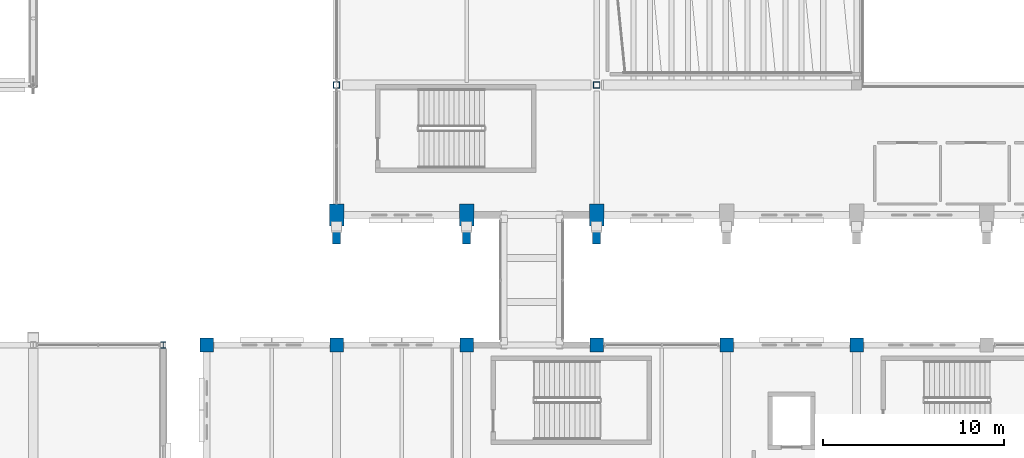
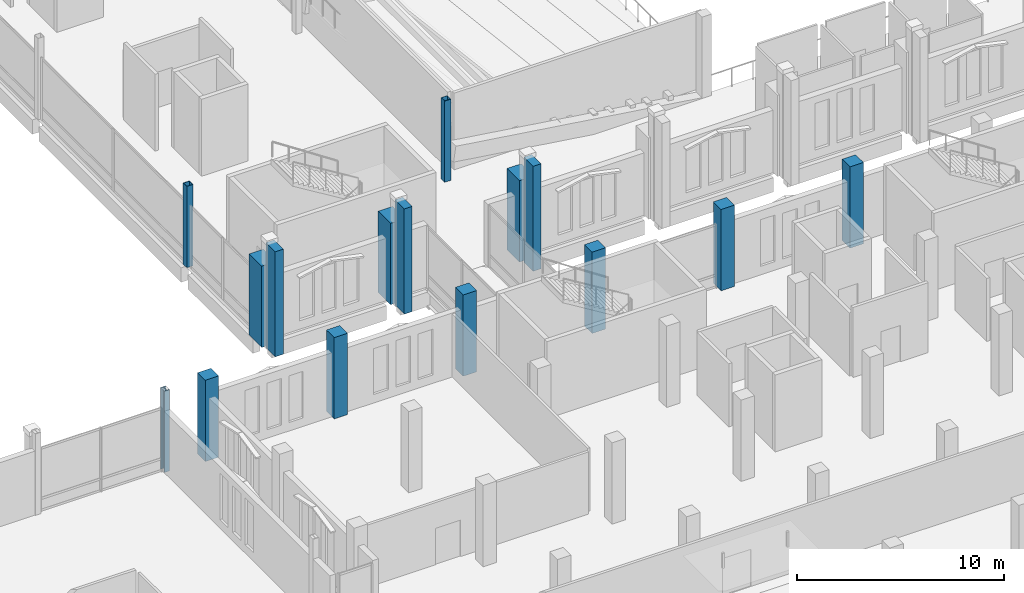
# One storey, part 12 of 193: 15 columns.
"""IFC4 building model written with IfcOpenShell, lengths in metres."""

from ifc_helpers import new_model, si_unit, direction, frame, origin, origin_2d, place, context, subcontext, project, spatial, rectangle, hollow_rectangle, i_section, extrude, material, material_profile, profile_set, type_object, element, save


model = new_model("IFC4")

# Units and contexts
model_context = context("Model", 3, precision=1e-05, world=origin(), true_north=direction((0.0, 1.0)))
body_context = subcontext(model_context, "Body", "Model", "MODEL_VIEW")
ifc_project = project(units=[si_unit("LENGTHUNIT", "METRE"), si_unit("AREAUNIT", "SQUARE_METRE"), si_unit("VOLUMEUNIT", "CUBIC_METRE"), si_unit("PLANEANGLEUNIT", "RADIAN"), si_unit("MASSUNIT", "GRAM", prefix="KILO")], contexts=[model_context])

# Site, building, storey
site_placement = place(None, origin())
site = spatial("IfcSite", under=ifc_project, at=site_placement, CompositionType="ELEMENT")
building_placement = place(site_placement, origin())
building = spatial("IfcBuilding", under=site, at=building_placement, Name="Cendralis Lancet Convention Centre", CompositionType="ELEMENT")
storey_placement = place(building_placement, frame((0.0, 0.0, 10.199951171875)))
storey = spatial("IfcBuildingStorey", under=building, at=storey_placement, Name="L02", CompositionType="ELEMENT", Elevation=10.199951171875)

# Columns
ifc_material_1 = material(Name="Concrete G40 (C40/50)", Category="concrete")
ifc_material_profile_1 = material_profile(ifc_material_1, rectangle(XDim=0.75, YDim=0.75, at=origin_2d()), Name="RC 750x750")
ifc_profile_set_1 = profile_set([ifc_material_profile_1], Name="Concrete G40 (C40/50)")
column_type_1 = type_object("IfcColumnType", Name="STR-COL-C06", PredefinedType="COLUMN", material=ifc_profile_set_1)
for number, where, z_axis, x_axis, name in (
    (1, (132.0, 36.0, 0.0), (0.0, 0.0, 1.0), (1.0, 0.0, 0.0), "L02 Column C06 at 132.0,36.0"),
    (2, (139.199951171875, 36.0, 0.0), (0.0, 0.0, 1.0), (1.0, 0.0, 0.0), "L02 Column C06 at 139.2,36.0"),
    (3, (146.39990234375, 36.0, 0.0), (0.0, 0.0, 1.0), (1.0, 0.0, 0.0), "L02 Column C06 at 146.4,36.0"),
    (4, (153.60009765625, 36.0, 0.0), (0.0, 0.0, 1.0), (1.0, 0.0, 0.0), "L02 Column C06 at 153.6,36.0"),
    (5, (160.800048828125, 36.0, 0.0), (0.0, 0.0, 1.0), (1.0, 0.0, 0.0), "L02 Column C06 at 160.8,36.0"),
    (6, (168.0, 36.0, 0.0), (0.0, 0.0, 1.0), (1.0, 0.0, 0.0), "L02 Column C06 at 168.0,36.0"),
):
    element("IfcColumn", number, at=place(storey_placement, frame(where, z_axis=z_axis, x_axis=x_axis)), inside=storey, type_object=column_type_1, Name=name, PredefinedType="COLUMN", context=body_context, shape_type="SweptSolid", body=[
        extrude(rectangle(XDim=0.75, YDim=0.75, at=origin_2d()), origin(), (0.0, 0.0, 1.0), 4.800048828125),
    ])
ifc_material_profile_2 = material_profile(ifc_material_1, rectangle(XDim=0.800048828125, YDim=1.199951171875, at=origin_2d()), Name="RC 800x1200")
ifc_profile_set_2 = profile_set([ifc_material_profile_2], Name="Concrete G40 (C40/50)")
column_type_2 = type_object("IfcColumnType", Name="STR-COL-C15", PredefinedType="COLUMN", material=ifc_profile_set_2)
for number, where, z_axis, x_axis, name in (
    (7, (139.199951171875, 43.199951171875, 0.0), (0.0, 0.0, 1.0), (1.0, 0.0, 0.0), "L02 Column C15 at 139.2,43.2"),
    (8, (146.39990234375, 43.199951171875, 0.0), (0.0, 0.0, 1.0), (1.0, 0.0, 0.0), "L02 Column C15 at 146.4,43.2"),
    (9, (153.60009765625, 43.199951171875, 0.0), (0.0, 0.0, 1.0), (1.0, 0.0, 0.0), "L02 Column C15 at 153.6,43.2"),
):
    element("IfcColumn", number, at=place(storey_placement, frame(where, z_axis=z_axis, x_axis=x_axis)), inside=storey, type_object=column_type_2, Name=name, PredefinedType="COLUMN", context=body_context, shape_type="SweptSolid", body=[
        extrude(rectangle(XDim=0.800048828125, YDim=1.199951171875, at=origin_2d()), origin(), (0.0, 0.0, 1.0), 4.800048828125),
    ])
ifc_material_2 = material(Name="Steel S355", Category="steel")
ifc_material_profile_3 = material_profile(ifc_material_2, i_section(OverallWidth=0.300048828125, OverallDepth=0.360107421875, WebThickness=0.012451171875, FlangeThickness=0.0224609375, FilletRadius=0.027099609375, at=origin_2d()), Name="HEB 360")
ifc_profile_set_3 = profile_set([ifc_material_profile_3], Name="Steel S355")
column_type_3 = type_object("IfcColumnType", Name="STR-COL-C26", PredefinedType="COLUMN", material=ifc_profile_set_3)
column_1_placement = place(storey_placement, frame((129.60009765625, 36.0, 0.0), z_axis=(0.0, 0.0, 1.0), x_axis=(1.0, 0.0, 0.0)))
element("IfcColumn", 10, at=column_1_placement, inside=storey, type_object=column_type_3, Name="L02 Column C26 at 129.6,36.0", PredefinedType="COLUMN", context=body_context, shape_type="SweptSolid", body=[
    extrude(i_section(OverallWidth=0.300048828125, OverallDepth=0.360107421875, WebThickness=0.012451171875, FlangeThickness=0.0224609375, FilletRadius=0.027099609375, at=origin_2d()), origin(), (0.0, 0.0, 1.0), 4.800048828125),
])
ifc_material_profile_4 = material_profile(ifc_material_2, hollow_rectangle(XDim=0.35009765625, YDim=0.35009765625, WallThickness=0.01611328125, at=origin_2d()), Name="SHS 350x350x16.0")
ifc_profile_set_4 = profile_set([ifc_material_profile_4], Name="Steel S355")
column_type_4 = type_object("IfcColumnType", Name="STR-COL-C29", PredefinedType="COLUMN", material=ifc_profile_set_4)
column_2_placement = place(storey_placement, frame((139.199951171875, 50.39990234375, 0.0), z_axis=(0.0, 0.0, 1.0), x_axis=(1.0, 0.0, 0.0)))
element("IfcColumn", 11, at=column_2_placement, inside=storey, type_object=column_type_4, Name="L02 Column C29 at 139.2,50.4", PredefinedType="COLUMN", context=body_context, shape_type="SweptSolid", body=[
    extrude(hollow_rectangle(XDim=0.35009765625, YDim=0.35009765625, WallThickness=0.01611328125, at=origin_2d()), origin(), (0.0, 0.0, 1.0), 4.800048828125),
])
ifc_material_profile_5 = material_profile(ifc_material_2, hollow_rectangle(XDim=0.35009765625, YDim=0.35009765625, WallThickness=0.01611328125, at=origin_2d()), Name="SHS 350x350x16.0")
ifc_profile_set_5 = profile_set([ifc_material_profile_5], Name="Steel S355")
column_type_5 = type_object("IfcColumnType", Name="STR-COL-C29-INT", PredefinedType="COLUMN", material=ifc_profile_set_5)
column_3_placement = place(storey_placement, frame((153.60009765625, 50.39990234375, 0.0), z_axis=(0.0, 0.0, 1.0), x_axis=(1.0, 0.0, 0.0)))
element("IfcColumn", 12, at=column_3_placement, inside=storey, type_object=column_type_5, Name="L02 Column C29 at 153.6,50.4", PredefinedType="COLUMN", context=body_context, shape_type="SweptSolid", body=[
    extrude(hollow_rectangle(XDim=0.35009765625, YDim=0.35009765625, WallThickness=0.01611328125, at=origin_2d()), origin(), (0.0, 0.0, 1.0), 4.800048828125),
])
ifc_material_profile_6 = material_profile(ifc_material_1, rectangle(XDim=0.449951171875, YDim=0.89990234375, at=origin_2d()), Name="RC 450x900")
ifc_profile_set_6 = profile_set([ifc_material_profile_6], Name="Concrete G40 (C40/50)")
column_type_6 = type_object("IfcColumnType", Name="STR-PIL-PL02", PredefinedType="PILASTER", material=ifc_profile_set_6)
for number, where, z_axis, x_axis, name in (
    (13, (139.199951171875, 42.0400390625, 0.0), (0.0, 0.0, 1.0), (1.0, 0.0, 0.0), "L02 Column PL02 at 139.2,42.0"),
    (14, (146.39990234375, 42.0400390625, 0.0), (0.0, 0.0, 1.0), (1.0, 0.0, 0.0), "L02 Column PL02 at 146.4,42.0"),
    (15, (153.60009765625, 42.0400390625, 0.0), (0.0, 0.0, 1.0), (1.0, 0.0, 0.0), "L02 Column PL02 at 153.6,42.0"),
):
    element("IfcColumn", number, at=place(storey_placement, frame(where, z_axis=z_axis, x_axis=x_axis)), inside=storey, type_object=column_type_6, Name=name, PredefinedType="PILASTER", context=body_context, shape_type="SweptSolid", body=[
        extrude(rectangle(XDim=0.449951171875, YDim=0.89990234375, at=origin_2d()), origin(), (0.0, 0.0, 1.0), 6.199951171875),
    ])

save(model, "model.ifc")
